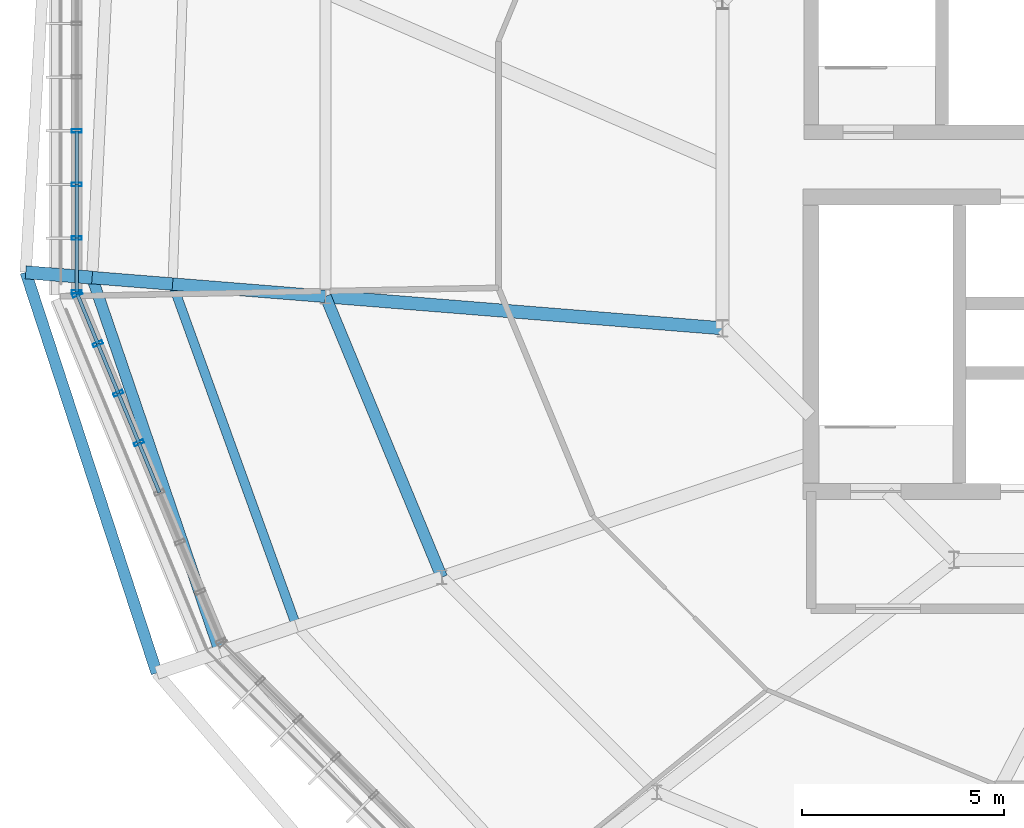
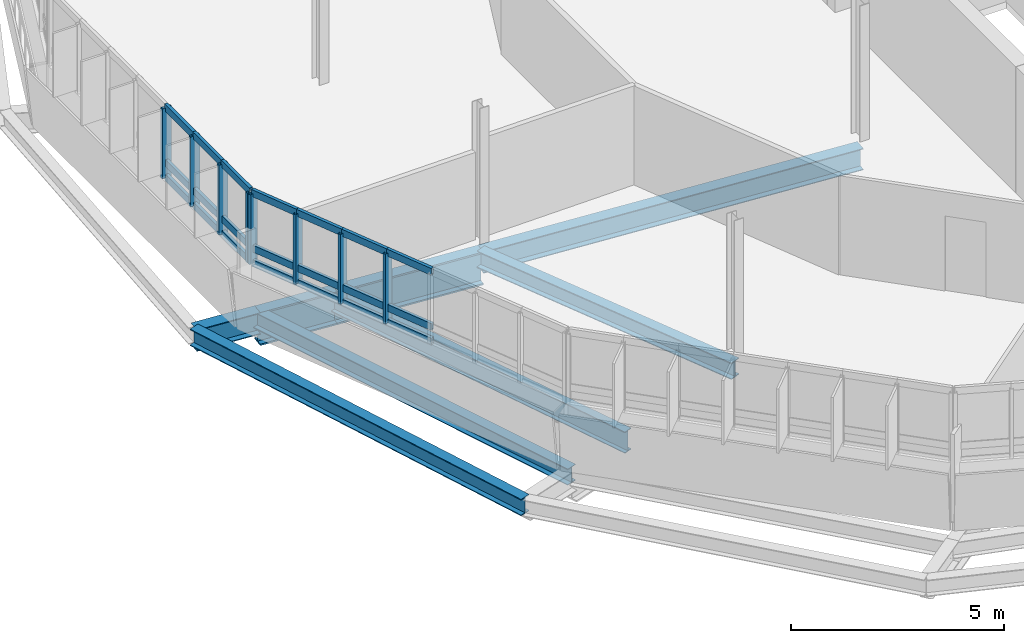
# One storey, part 9 of 31: 29 members, 8 beams, 2 elements without a shape of their own.
"""IFC4 building model written with IfcOpenShell, lengths in metres."""

from ifc_helpers import new_model, si_unit, derived_unit, direction, frame, origin, origin_2d, place, context, subcontext, project, spatial, hollow_rectangle, i_section, extrude, material, layer, layer_set, material_profile, profile_set, type_object, element, aggregate, save


model = new_model("IFC4")

# Units and contexts
model_context = context("Model", 3, precision=1e-05, world=origin(), true_north=direction((0.0, 1.0)))
body_context = subcontext(model_context, "Body", "Model", "MODEL_VIEW")
ifc_project = project(units=[si_unit("LENGTHUNIT", "METRE"), si_unit("AREAUNIT", "SQUARE_METRE"), si_unit("VOLUMEUNIT", "CUBIC_METRE"), si_unit("PLANEANGLEUNIT", "RADIAN"), si_unit("MASSUNIT", "GRAM", prefix="KILO"), derived_unit("THERMALTRANSMITTANCEUNIT", [(si_unit("MASSUNIT", "GRAM", prefix="KILO"), 1), (si_unit("TIMEUNIT", "SECOND"), -3), (si_unit("THERMODYNAMICTEMPERATUREUNIT", "KELVIN"), -1)])], contexts=[model_context])

# Site, building, storey
site_placement = place(None, origin())
site = spatial("IfcSite", under=ifc_project, at=site_placement, CompositionType="ELEMENT")
building_placement = place(site_placement, origin())
building = spatial("IfcBuilding", under=site, at=building_placement, Name="Makaiwela Harbour Ferry Terminal", CompositionType="ELEMENT")
storey_placement = place(building_placement, frame((0.0, 0.0, 21.60009765625)))
storey = spatial("IfcBuildingStorey", under=building, at=storey_placement, Name="L05", CompositionType="ELEMENT", Elevation=21.60009765625)

# Curtain wall, members
ifc_material_1 = material(Name="Marine anodised aluminium 6063-T6", Category="aluminium")
ifc_layer = layer(ifc_material_1, 0.199951171875)
ifc_layer_set = layer_set([ifc_layer], Name="Marine anodised aluminium 6063-T6")
curtain_wall_type = type_object("IfcCurtainWallType", Name="ENV-CW-07", PredefinedType="USERDEFINED", material=ifc_layer_set)
curtain_wall_1_placement = place(storey_placement, origin())
curtain_wall_1 = element("IfcCurtainWall", 1, at=curtain_wall_1_placement, inside=storey, type_object=curtain_wall_type, Name="Unitised Curtain Wall CWA-063", ObjectType="UNITIZED CURTAIN WALL", PredefinedType="USERDEFINED")
ifc_material_profile_1 = material_profile(ifc_material_1, hollow_rectangle(XDim=0.0849609375, YDim=0.25, WallThickness=0.0048828125, at=origin_2d()), Name="CWM-250X85")
ifc_profile_set_1 = profile_set([ifc_material_profile_1], Name="Marine anodised aluminium 6063-T6")
member_type_1 = type_object("IfcMemberType", Name="CW-MUL-250", PredefinedType="MULLION", material=ifc_profile_set_1)
member_1_placement = place(storey_placement, frame((12.01123046875, 68.435302734375, 1.47998046875), z_axis=(0.0, 0.0, 1.0), x_axis=(0.0, 1.0, 0.0)))
member_1 = element("IfcMember", 2, at=member_1_placement, type_object=member_type_1, Name="Curtain Wall Mullion CWA-063-5", PredefinedType="MULLION", context=body_context, shape_type="SweptSolid", body=[
    extrude(hollow_rectangle(XDim=0.0849609375, YDim=0.25, WallThickness=0.0048828125, at=origin_2d()), origin(), (0.0, 0.0, 1.0), 2.0),
])
member_2_placement = place(storey_placement, frame((12.01123046875, 67.106201171875, 1.47998046875), z_axis=(0.0, 0.0, 1.0), x_axis=(0.0, 1.0, 0.0)))
member_2 = element("IfcMember", 3, at=member_2_placement, type_object=member_type_1, Name="Curtain Wall Mullion CWA-063-6", PredefinedType="MULLION", context=body_context, shape_type="SweptSolid", body=[
    extrude(hollow_rectangle(XDim=0.0849609375, YDim=0.25, WallThickness=0.0048828125, at=origin_2d()), origin(), (0.0, 0.0, 1.0), 2.0),
])
member_3_placement = place(storey_placement, frame((12.01123046875, 65.777099609375, 1.47998046875), z_axis=(0.0, 0.0, 1.0), x_axis=(0.0, 1.0, 0.0)))
member_3 = element("IfcMember", 4, at=member_3_placement, type_object=member_type_1, Name="Curtain Wall Mullion CWA-063-7", PredefinedType="MULLION", context=body_context, shape_type="SweptSolid", body=[
    extrude(hollow_rectangle(XDim=0.0849609375, YDim=0.25, WallThickness=0.0048828125, at=origin_2d()), origin(), (0.0, 0.0, 1.0), 2.0),
])
member_4_placement = place(storey_placement, frame((12.01123046875, 64.44775390625, 1.47998046875), z_axis=(0.0, 0.0, 1.0), x_axis=(0.0, 1.0, 0.0)))
member_4 = element("IfcMember", 5, at=member_4_placement, type_object=member_type_1, Name="Curtain Wall Mullion CWA-063-8", PredefinedType="MULLION", context=body_context, shape_type="SweptSolid", body=[
    extrude(hollow_rectangle(XDim=0.0849609375, YDim=0.25, WallThickness=0.0048828125, at=origin_2d()), origin(), (0.0, 0.0, 1.0), 2.0),
])

curtain_wall_2_placement = place(storey_placement, origin())
curtain_wall_2 = element("IfcCurtainWall", 6, at=curtain_wall_2_placement, inside=storey, type_object=curtain_wall_type, Name="Unitised Curtain Wall CWA-064", ObjectType="UNITIZED CURTAIN WALL", PredefinedType="USERDEFINED")
member_5_placement = place(storey_placement, frame((12.022705078125, 64.39013671875, 1.47998046875), z_axis=(0.0, 0.0, 1.0), x_axis=(-0.382683432365, 0.923879532511, 0.0)))
member_5 = element("IfcMember", 7, at=member_5_placement, type_object=member_type_1, Name="Curtain Wall Mullion CWA-064-1", PredefinedType="MULLION", context=body_context, shape_type="SweptSolid", body=[
    extrude(hollow_rectangle(XDim=0.0849609375, YDim=0.25, WallThickness=0.0048828125, at=origin_2d()), origin(), (0.0, 0.0, 1.0), 2.0),
])
member_6_placement = place(storey_placement, frame((12.53125, 63.162109375, 1.47998046875), z_axis=(0.0, 0.0, 1.0), x_axis=(-0.382683432365, 0.923879532511, 0.0)))
member_6 = element("IfcMember", 8, at=member_6_placement, type_object=member_type_1, Name="Curtain Wall Mullion CWA-064-2", PredefinedType="MULLION", context=body_context, shape_type="SweptSolid", body=[
    extrude(hollow_rectangle(XDim=0.0849609375, YDim=0.25, WallThickness=0.0048828125, at=origin_2d()), origin(), (0.0, 0.0, 1.0), 2.0),
])
member_7_placement = place(storey_placement, frame((13.0400390625, 61.93408203125, 1.47998046875), z_axis=(0.0, 0.0, 1.0), x_axis=(-0.382683432365, 0.923879532511, 0.0)))
member_7 = element("IfcMember", 9, at=member_7_placement, type_object=member_type_1, Name="Curtain Wall Mullion CWA-064-3", PredefinedType="MULLION", context=body_context, shape_type="SweptSolid", body=[
    extrude(hollow_rectangle(XDim=0.0849609375, YDim=0.25, WallThickness=0.0048828125, at=origin_2d()), origin(), (0.0, 0.0, 1.0), 2.0),
])
member_8_placement = place(storey_placement, frame((13.548583984375, 60.7060546875, 1.47998046875), z_axis=(0.0, 0.0, 1.0), x_axis=(-0.382683432365, 0.923879532511, 0.0)))
member_8 = element("IfcMember", 10, at=member_8_placement, type_object=member_type_1, Name="Curtain Wall Mullion CWA-064-4", PredefinedType="MULLION", context=body_context, shape_type="SweptSolid", body=[
    extrude(hollow_rectangle(XDim=0.0849609375, YDim=0.25, WallThickness=0.0048828125, at=origin_2d()), origin(), (0.0, 0.0, 1.0), 2.0),
])

# Member
ifc_material_profile_2 = material_profile(ifc_material_1, hollow_rectangle(XDim=0.0849609375, YDim=0.199951171875, WallThickness=0.0048828125, at=origin_2d()), Name="CWT-200X85")
ifc_profile_set_2 = profile_set([ifc_material_profile_2], Name="Marine anodised aluminium 6063-T6")
member_type_2 = type_object("IfcMemberType", Name="CW-TRN-200", PredefinedType="USERDEFINED", material=ifc_profile_set_2)
member_9_placement = place(storey_placement, frame((12.01123046875, 68.435302734375, 1.47998046875), z_axis=(0.0, -1.0, 0.0), x_axis=(1.0, 0.0, 0.0)))
member_9 = element("IfcMember", 11, at=member_9_placement, type_object=member_type_2, Name="Curtain Wall Transom CWA-063-5-1", ObjectType="TRANSOM", PredefinedType="USERDEFINED", context=body_context, shape_type="SweptSolid", body=[
    extrude(hollow_rectangle(XDim=0.0849609375, YDim=0.199951171875, WallThickness=0.0048828125, at=origin_2d()), origin(), (0.0, 0.0, 1.0), 1.3291015625),
])

member_10_placement = place(storey_placement, frame((12.01123046875, 68.435302734375, 1.89990234375), z_axis=(0.0, -1.0, 0.0), x_axis=(1.0, 0.0, 0.0)))
member_10 = element("IfcMember", 12, at=member_10_placement, type_object=member_type_2, Name="Curtain Wall Transom CWA-063-5-2", ObjectType="TRANSOM", PredefinedType="USERDEFINED", context=body_context, shape_type="SweptSolid", body=[
    extrude(hollow_rectangle(XDim=0.0849609375, YDim=0.199951171875, WallThickness=0.0048828125, at=origin_2d()), origin(), (0.0, 0.0, 1.0), 1.3291015625),
])

member_11_placement = place(storey_placement, frame((12.01123046875, 68.435302734375, 3.47998046875), z_axis=(0.0, -1.0, 0.0), x_axis=(1.0, 0.0, 0.0)))
member_11 = element("IfcMember", 13, at=member_11_placement, type_object=member_type_2, Name="Curtain Wall Transom CWA-063-5-3", ObjectType="TRANSOM", PredefinedType="USERDEFINED", context=body_context, shape_type="SweptSolid", body=[
    extrude(hollow_rectangle(XDim=0.0849609375, YDim=0.199951171875, WallThickness=0.0048828125, at=origin_2d()), origin(), (0.0, 0.0, 1.0), 1.3291015625),
])

member_12_placement = place(storey_placement, frame((12.01123046875, 67.106201171875, 1.47998046875), z_axis=(0.0, -1.0, 0.0), x_axis=(1.0, 0.0, 0.0)))
member_12 = element("IfcMember", 14, at=member_12_placement, type_object=member_type_2, Name="Curtain Wall Transom CWA-063-6-1", ObjectType="TRANSOM", PredefinedType="USERDEFINED", context=body_context, shape_type="SweptSolid", body=[
    extrude(hollow_rectangle(XDim=0.0849609375, YDim=0.199951171875, WallThickness=0.0048828125, at=origin_2d()), origin(), (0.0, 0.0, 1.0), 1.3291015625),
])

member_13_placement = place(storey_placement, frame((12.01123046875, 67.106201171875, 1.89990234375), z_axis=(0.0, -1.0, 0.0), x_axis=(1.0, 0.0, 0.0)))
member_13 = element("IfcMember", 15, at=member_13_placement, type_object=member_type_2, Name="Curtain Wall Transom CWA-063-6-2", ObjectType="TRANSOM", PredefinedType="USERDEFINED", context=body_context, shape_type="SweptSolid", body=[
    extrude(hollow_rectangle(XDim=0.0849609375, YDim=0.199951171875, WallThickness=0.0048828125, at=origin_2d()), origin(), (0.0, 0.0, 1.0), 1.3291015625),
])

member_14_placement = place(storey_placement, frame((12.01123046875, 67.106201171875, 3.47998046875), z_axis=(0.0, -1.0, 0.0), x_axis=(1.0, 0.0, 0.0)))
member_14 = element("IfcMember", 16, at=member_14_placement, type_object=member_type_2, Name="Curtain Wall Transom CWA-063-6-3", ObjectType="TRANSOM", PredefinedType="USERDEFINED", context=body_context, shape_type="SweptSolid", body=[
    extrude(hollow_rectangle(XDim=0.0849609375, YDim=0.199951171875, WallThickness=0.0048828125, at=origin_2d()), origin(), (0.0, 0.0, 1.0), 1.3291015625),
])

member_15_placement = place(storey_placement, frame((12.01123046875, 65.777099609375, 1.47998046875), z_axis=(0.0, -1.0, 0.0), x_axis=(1.0, 0.0, 0.0)))
member_15 = element("IfcMember", 17, at=member_15_placement, type_object=member_type_2, Name="Curtain Wall Transom CWA-063-7-1", ObjectType="TRANSOM", PredefinedType="USERDEFINED", context=body_context, shape_type="SweptSolid", body=[
    extrude(hollow_rectangle(XDim=0.0849609375, YDim=0.199951171875, WallThickness=0.0048828125, at=origin_2d()), origin(), (0.0, 0.0, 1.0), 1.329345703125),
])

member_16_placement = place(storey_placement, frame((12.01123046875, 65.777099609375, 1.89990234375), z_axis=(0.0, -1.0, 0.0), x_axis=(1.0, 0.0, 0.0)))
member_16 = element("IfcMember", 18, at=member_16_placement, type_object=member_type_2, Name="Curtain Wall Transom CWA-063-7-2", ObjectType="TRANSOM", PredefinedType="USERDEFINED", context=body_context, shape_type="SweptSolid", body=[
    extrude(hollow_rectangle(XDim=0.0849609375, YDim=0.199951171875, WallThickness=0.0048828125, at=origin_2d()), origin(), (0.0, 0.0, 1.0), 1.329345703125),
])

member_17_placement = place(storey_placement, frame((12.01123046875, 65.777099609375, 3.47998046875), z_axis=(0.0, -1.0, 0.0), x_axis=(1.0, 0.0, 0.0)))
member_17 = element("IfcMember", 19, at=member_17_placement, type_object=member_type_2, Name="Curtain Wall Transom CWA-063-7-3", ObjectType="TRANSOM", PredefinedType="USERDEFINED", context=body_context, shape_type="SweptSolid", body=[
    extrude(hollow_rectangle(XDim=0.0849609375, YDim=0.199951171875, WallThickness=0.0048828125, at=origin_2d()), origin(), (0.0, 0.0, 1.0), 1.329345703125),
])

aggregate(curtain_wall_1, [member_1, member_2, member_3, member_4, member_9, member_10, member_11, member_12, member_13, member_14, member_15, member_16, member_17])

member_18_placement = place(storey_placement, frame((12.022705078125, 64.39013671875, 1.47998046875), z_axis=(0.382605946964, -0.923911624209, 0.0), x_axis=(0.923911624209, 0.382605946964, 0.0)))
member_18 = element("IfcMember", 20, at=member_18_placement, type_object=member_type_2, Name="Curtain Wall Transom CWA-064-1-1", ObjectType="TRANSOM", PredefinedType="USERDEFINED", context=body_context, shape_type="SweptSolid", body=[
    extrude(hollow_rectangle(XDim=0.0849609375, YDim=0.199951171875, WallThickness=0.0048828125, at=origin_2d()), origin(), (0.0, 0.0, 1.0), 1.3291015625),
])

member_19_placement = place(storey_placement, frame((12.022705078125, 64.39013671875, 1.89990234375), z_axis=(0.382605946964, -0.923911624209, 0.0), x_axis=(0.923911624209, 0.382605946964, 0.0)))
member_19 = element("IfcMember", 21, at=member_19_placement, type_object=member_type_2, Name="Curtain Wall Transom CWA-064-1-2", ObjectType="TRANSOM", PredefinedType="USERDEFINED", context=body_context, shape_type="SweptSolid", body=[
    extrude(hollow_rectangle(XDim=0.0849609375, YDim=0.199951171875, WallThickness=0.0048828125, at=origin_2d()), origin(), (0.0, 0.0, 1.0), 1.3291015625),
])

member_20_placement = place(storey_placement, frame((12.022705078125, 64.39013671875, 3.47998046875), z_axis=(0.382605946964, -0.923911624209, 0.0), x_axis=(0.923911624209, 0.382605946964, 0.0)))
member_20 = element("IfcMember", 22, at=member_20_placement, type_object=member_type_2, Name="Curtain Wall Transom CWA-064-1-3", ObjectType="TRANSOM", PredefinedType="USERDEFINED", context=body_context, shape_type="SweptSolid", body=[
    extrude(hollow_rectangle(XDim=0.0849609375, YDim=0.199951171875, WallThickness=0.0048828125, at=origin_2d()), origin(), (0.0, 0.0, 1.0), 1.3291015625),
])

member_21_placement = place(storey_placement, frame((12.53125, 63.162109375, 1.47998046875), z_axis=(0.382762722221, -0.923846685591, 0.0), x_axis=(0.923846685591, 0.382762722221, 0.0)))
member_21 = element("IfcMember", 23, at=member_21_placement, type_object=member_type_2, Name="Curtain Wall Transom CWA-064-2-1", ObjectType="TRANSOM", PredefinedType="USERDEFINED", context=body_context, shape_type="SweptSolid", body=[
    extrude(hollow_rectangle(XDim=0.0849609375, YDim=0.199951171875, WallThickness=0.0048828125, at=origin_2d()), origin(), (0.0, 0.0, 1.0), 1.329345703125),
])

member_22_placement = place(storey_placement, frame((12.53125, 63.162109375, 1.89990234375), z_axis=(0.382762722221, -0.923846685591, 0.0), x_axis=(0.923846685591, 0.382762722221, 0.0)))
member_22 = element("IfcMember", 24, at=member_22_placement, type_object=member_type_2, Name="Curtain Wall Transom CWA-064-2-2", ObjectType="TRANSOM", PredefinedType="USERDEFINED", context=body_context, shape_type="SweptSolid", body=[
    extrude(hollow_rectangle(XDim=0.0849609375, YDim=0.199951171875, WallThickness=0.0048828125, at=origin_2d()), origin(), (0.0, 0.0, 1.0), 1.329345703125),
])

member_23_placement = place(storey_placement, frame((12.53125, 63.162109375, 3.47998046875), z_axis=(0.382762722221, -0.923846685591, 0.0), x_axis=(0.923846685591, 0.382762722221, 0.0)))
member_23 = element("IfcMember", 25, at=member_23_placement, type_object=member_type_2, Name="Curtain Wall Transom CWA-064-2-3", ObjectType="TRANSOM", PredefinedType="USERDEFINED", context=body_context, shape_type="SweptSolid", body=[
    extrude(hollow_rectangle(XDim=0.0849609375, YDim=0.199951171875, WallThickness=0.0048828125, at=origin_2d()), origin(), (0.0, 0.0, 1.0), 1.329345703125),
])

member_24_placement = place(storey_placement, frame((13.0400390625, 61.93408203125, 1.47998046875), z_axis=(0.382605946964, -0.923911624209, 0.0), x_axis=(0.923911624209, 0.382605946964, 0.0)))
member_24 = element("IfcMember", 26, at=member_24_placement, type_object=member_type_2, Name="Curtain Wall Transom CWA-064-3-1", ObjectType="TRANSOM", PredefinedType="USERDEFINED", context=body_context, shape_type="SweptSolid", body=[
    extrude(hollow_rectangle(XDim=0.0849609375, YDim=0.199951171875, WallThickness=0.0048828125, at=origin_2d()), origin(), (0.0, 0.0, 1.0), 1.3291015625),
])

member_25_placement = place(storey_placement, frame((13.0400390625, 61.93408203125, 1.89990234375), z_axis=(0.382605946964, -0.923911624209, 0.0), x_axis=(0.923911624209, 0.382605946964, 0.0)))
member_25 = element("IfcMember", 27, at=member_25_placement, type_object=member_type_2, Name="Curtain Wall Transom CWA-064-3-2", ObjectType="TRANSOM", PredefinedType="USERDEFINED", context=body_context, shape_type="SweptSolid", body=[
    extrude(hollow_rectangle(XDim=0.0849609375, YDim=0.199951171875, WallThickness=0.0048828125, at=origin_2d()), origin(), (0.0, 0.0, 1.0), 1.3291015625),
])

member_26_placement = place(storey_placement, frame((13.0400390625, 61.93408203125, 3.47998046875), z_axis=(0.382605946964, -0.923911624209, 0.0), x_axis=(0.923911624209, 0.382605946964, 0.0)))
member_26 = element("IfcMember", 28, at=member_26_placement, type_object=member_type_2, Name="Curtain Wall Transom CWA-064-3-3", ObjectType="TRANSOM", PredefinedType="USERDEFINED", context=body_context, shape_type="SweptSolid", body=[
    extrude(hollow_rectangle(XDim=0.0849609375, YDim=0.199951171875, WallThickness=0.0048828125, at=origin_2d()), origin(), (0.0, 0.0, 1.0), 1.3291015625),
])

member_27_placement = place(storey_placement, frame((13.548583984375, 60.7060546875, 1.47998046875), z_axis=(0.382762722221, -0.923846685591, 0.0), x_axis=(0.923846685591, 0.382762722221, 0.0)))
member_27 = element("IfcMember", 29, at=member_27_placement, type_object=member_type_2, Name="Curtain Wall Transom CWA-064-4-1", ObjectType="TRANSOM", PredefinedType="USERDEFINED", context=body_context, shape_type="SweptSolid", body=[
    extrude(hollow_rectangle(XDim=0.0849609375, YDim=0.199951171875, WallThickness=0.0048828125, at=origin_2d()), origin(), (0.0, 0.0, 1.0), 1.329345703125),
])

member_28_placement = place(storey_placement, frame((13.548583984375, 60.7060546875, 1.89990234375), z_axis=(0.382762722221, -0.923846685591, 0.0), x_axis=(0.923846685591, 0.382762722221, 0.0)))
member_28 = element("IfcMember", 30, at=member_28_placement, type_object=member_type_2, Name="Curtain Wall Transom CWA-064-4-2", ObjectType="TRANSOM", PredefinedType="USERDEFINED", context=body_context, shape_type="SweptSolid", body=[
    extrude(hollow_rectangle(XDim=0.0849609375, YDim=0.199951171875, WallThickness=0.0048828125, at=origin_2d()), origin(), (0.0, 0.0, 1.0), 1.329345703125),
])

member_29_placement = place(storey_placement, frame((13.548583984375, 60.7060546875, 3.47998046875), z_axis=(0.382762722221, -0.923846685591, 0.0), x_axis=(0.923846685591, 0.382762722221, 0.0)))
member_29 = element("IfcMember", 31, at=member_29_placement, type_object=member_type_2, Name="Curtain Wall Transom CWA-064-4-3", ObjectType="TRANSOM", PredefinedType="USERDEFINED", context=body_context, shape_type="SweptSolid", body=[
    extrude(hollow_rectangle(XDim=0.0849609375, YDim=0.199951171875, WallThickness=0.0048828125, at=origin_2d()), origin(), (0.0, 0.0, 1.0), 1.329345703125),
])

aggregate(curtain_wall_2, [member_5, member_6, member_7, member_8, member_18, member_19, member_20, member_21, member_22, member_23, member_24, member_25, member_26, member_27, member_28, member_29])

# Beams
ifc_material_2 = material(Name="Steel ASTM A992 Grade 50", Category="steel")
ifc_material_profile_3 = material_profile(ifc_material_2, i_section(OverallWidth=0.280029296875, OverallDepth=0.462890625, WebThickness=0.0107421875, FlangeThickness=0.017333984375, at=origin_2d()), Name="W18X76")
ifc_profile_set_3 = profile_set([ifc_material_profile_3], Name="Steel ASTM A992 Grade 50")
beam_type_1 = type_object("IfcBeamType", Name="STR-BM-W18X76", PredefinedType="BEAM", material=ifc_profile_set_3)
beam_1_placement = place(storey_placement, frame((12.389404296875, 64.7998046875, -0.481689453125), z_axis=(0.323144397808, -0.946349670136, 0.0), x_axis=(0.946349670136, 0.323144397808, 0.0)))
element("IfcBeam", 32, at=beam_1_placement, inside=storey, type_object=beam_type_1, Name="Drum stage2 tie girder 594", PredefinedType="BEAM", context=body_context, shape_type="SweptSolid", body=[
    extrude(i_section(OverallWidth=0.280029296875, OverallDepth=0.462890625, WebThickness=0.0107421875, FlangeThickness=0.017333984375, at=origin_2d()), origin(), (0.0, 0.0, 1.0), 9.793701171875),
])
ifc_material_profile_4 = material_profile(ifc_material_2, i_section(OverallWidth=0.324951171875, OverallDepth=0.615966796875, WebThickness=0.013916015625, FlangeThickness=0.021484375, at=origin_2d()), Name="W24X117")
ifc_profile_set_4 = profile_set([ifc_material_profile_4], Name="Steel ASTM A992 Grade 50")
beam_type_2 = type_object("IfcBeamType", Name="STR-GRD-W24X117", PredefinedType="USERDEFINED", material=ifc_profile_set_4)
beam_2_placement = place(storey_placement, frame((28.0068359375, 63.543701171875, -0.55810546875), z_axis=(-0.996781835671, 0.080162161129, 0.0), x_axis=(-0.080162161129, -0.996781835671, 0.0)))
element("IfcBeam", 33, at=beam_2_placement, inside=storey, type_object=beam_type_2, Name="Drum radial girder 553", ObjectType="GIRDER", PredefinedType="USERDEFINED", context=body_context, shape_type="SweptSolid", body=[
    extrude(i_section(OverallWidth=0.324951171875, OverallDepth=0.615966796875, WebThickness=0.013916015625, FlangeThickness=0.021484375, at=origin_2d()), origin(), (0.0, 0.0, 1.0), 9.86767578125),
])
beam_3_placement = place(storey_placement, frame((12.389404296875, 64.7998046875, -0.55810546875), z_axis=(-0.996778472595, 0.080203968549, 0.0), x_axis=(-0.080203968549, -0.996778472595, 0.0)))
element("IfcBeam", 34, at=beam_3_placement, inside=storey, type_object=beam_type_2, Name="Promenade terrace bracket 556", ObjectType="GIRDER", PredefinedType="USERDEFINED", context=body_context, shape_type="SweptSolid", body=[
    extrude(i_section(OverallWidth=0.324951171875, OverallDepth=0.615966796875, WebThickness=0.013916015625, FlangeThickness=0.021484375, at=origin_2d()), origin(), (0.0, 0.0, 1.0), 1.64990234375),
])
ifc_material_profile_5 = material_profile(ifc_material_2, i_section(OverallWidth=0.22900390625, OverallDepth=0.612060546875, WebThickness=0.011962890625, FlangeThickness=0.01953125, at=origin_2d()), Name="W24X84")
ifc_profile_set_5 = profile_set([ifc_material_profile_5], Name="Steel ASTM A992 Grade 50")
beam_type_3 = type_object("IfcBeamType", Name="STR-GRD-W24X84", PredefinedType="USERDEFINED", material=ifc_profile_set_5)
beam_4_placement = place(storey_placement, frame((14.383056640625, 64.639404296875, -0.55615234375), z_axis=(0.340439431339, -0.940266448189, 0.0), x_axis=(0.940266448189, 0.340439431339, 0.0)))
element("IfcBeam", 35, at=beam_4_placement, inside=storey, type_object=beam_type_3, Name="Drum overhang tie girder 593", ObjectType="GIRDER", PredefinedType="USERDEFINED", context=body_context, shape_type="SweptSolid", body=[
    extrude(i_section(OverallWidth=0.22900390625, OverallDepth=0.612060546875, WebThickness=0.011962890625, FlangeThickness=0.01953125, at=origin_2d()), origin(), (0.0, 0.0, 1.0), 9.00927734375),
])
ifc_material_profile_6 = material_profile(ifc_material_2, i_section(OverallWidth=0.31005859375, OverallDepth=0.949951171875, WebThickness=0.0244140625, FlangeThickness=0.0439453125, at=origin_2d()), Name="W36X256")
ifc_profile_set_6 = profile_set([ifc_material_profile_6], Name="Steel ASTM A992 Grade 50")
beam_type_4 = type_object("IfcBeamType", Name="STR-GRD-W36X256", PredefinedType="USERDEFINED", material=ifc_profile_set_6)
beam_5_placement = place(storey_placement, frame((18.1708984375, 64.334716796875, -0.72509765625), z_axis=(-0.996780456317, 0.080179310956, 0.0), x_axis=(-0.080179310956, -0.996780456317, 0.0)))
element("IfcBeam", 36, at=beam_5_placement, inside=storey, type_object=beam_type_4, Name="Drum radial overhang 554", ObjectType="GIRDER", PredefinedType="USERDEFINED", context=body_context, shape_type="SweptSolid", body=[
    extrude(i_section(OverallWidth=0.31005859375, OverallDepth=0.949951171875, WebThickness=0.0244140625, FlangeThickness=0.0439453125, at=origin_2d()), origin(), (0.0, 0.0, 1.0), 3.800048828125),
])
beam_6_placement = place(storey_placement, frame((14.383056640625, 64.639404296875, -0.72509765625), z_axis=(-0.996779081025, 0.080196406592, 0.0), x_axis=(-0.080196406592, -0.996779081025, 0.0)))
element("IfcBeam", 37, at=beam_6_placement, inside=storey, type_object=beam_type_4, Name="Drum overhang radial girder 555", ObjectType="GIRDER", PredefinedType="USERDEFINED", context=body_context, shape_type="SweptSolid", body=[
    extrude(i_section(OverallWidth=0.31005859375, OverallDepth=0.949951171875, WebThickness=0.0244140625, FlangeThickness=0.0439453125, at=origin_2d()), origin(), (0.0, 0.0, 1.0), 2.0),
])
ifc_material_profile_7 = material_profile(ifc_material_2, i_section(OverallWidth=0.283935546875, OverallDepth=0.47607421875, WebThickness=0.014892578125, FlangeThickness=0.02392578125, at=origin_2d()), Name="W18X106")
ifc_profile_set_7 = profile_set([ifc_material_profile_7], Name="Steel ASTM A992 Grade 50")
beam_type_5 = type_object("IfcBeamType", Name="STR-SPN-W18X106", PredefinedType="SPANDREL", material=ifc_profile_set_7)
beam_7_placement = place(storey_placement, frame((18.1708984375, 64.334716796875, -0.488037109375), z_axis=(0.382660079618, -0.92388920519, 0.0), x_axis=(0.92388920519, 0.382660079618, 0.0)))
element("IfcBeam", 38, at=beam_7_placement, inside=storey, type_object=beam_type_5, Name="Drum column ring girder 515", PredefinedType="SPANDREL", context=body_context, shape_type="SweptSolid", body=[
    extrude(i_section(OverallWidth=0.283935546875, OverallDepth=0.47607421875, WebThickness=0.014892578125, FlangeThickness=0.02392578125, at=origin_2d()), origin(), (0.0, 0.0, 1.0), 7.530517578125),
])
beam_8_placement = place(storey_placement, frame((10.744873046875, 64.93212890625, -0.488037109375), z_axis=(0.310751854083, -0.950491075805, 0.0), x_axis=(0.950491075805, 0.310751854083, 0.0)))
element("IfcBeam", 39, at=beam_8_placement, inside=storey, type_object=beam_type_5, Name="Drum perimeter spandrel 610", PredefinedType="SPANDREL", context=body_context, shape_type="SweptSolid", body=[
    extrude(i_section(OverallWidth=0.283935546875, OverallDepth=0.47607421875, WebThickness=0.014892578125, FlangeThickness=0.02392578125, at=origin_2d()), origin(), (0.0, 0.0, 1.0), 10.44287109375),
])

save(model, "model.ifc")
